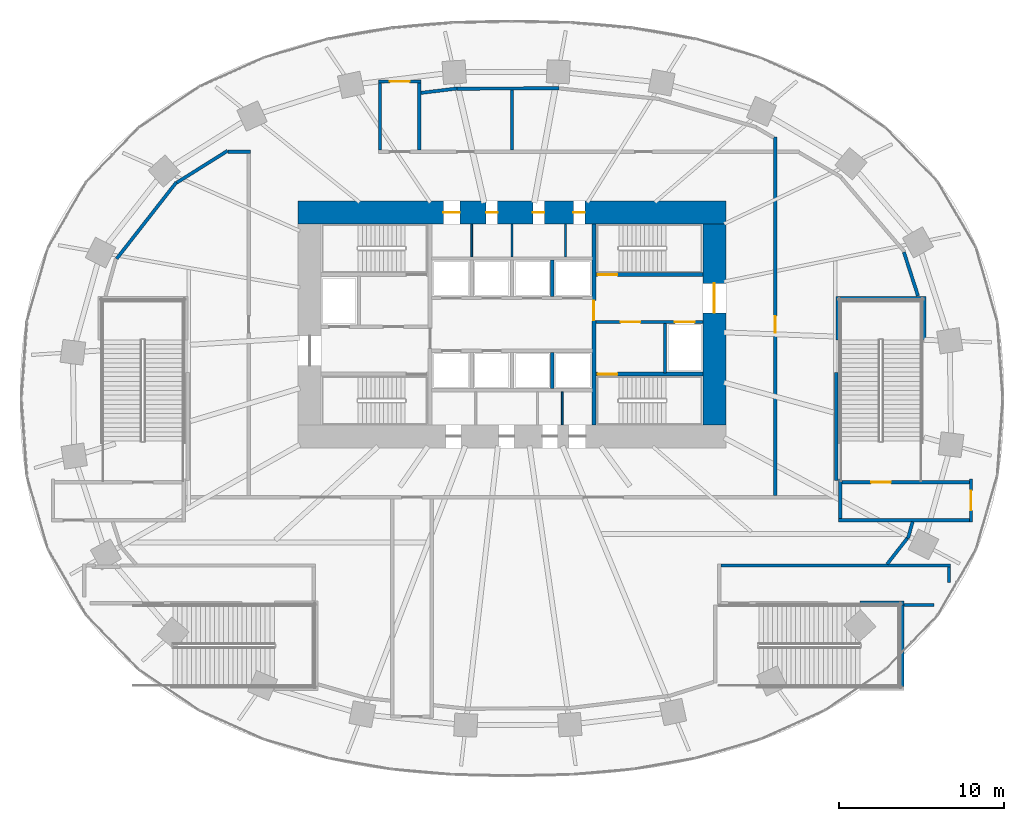
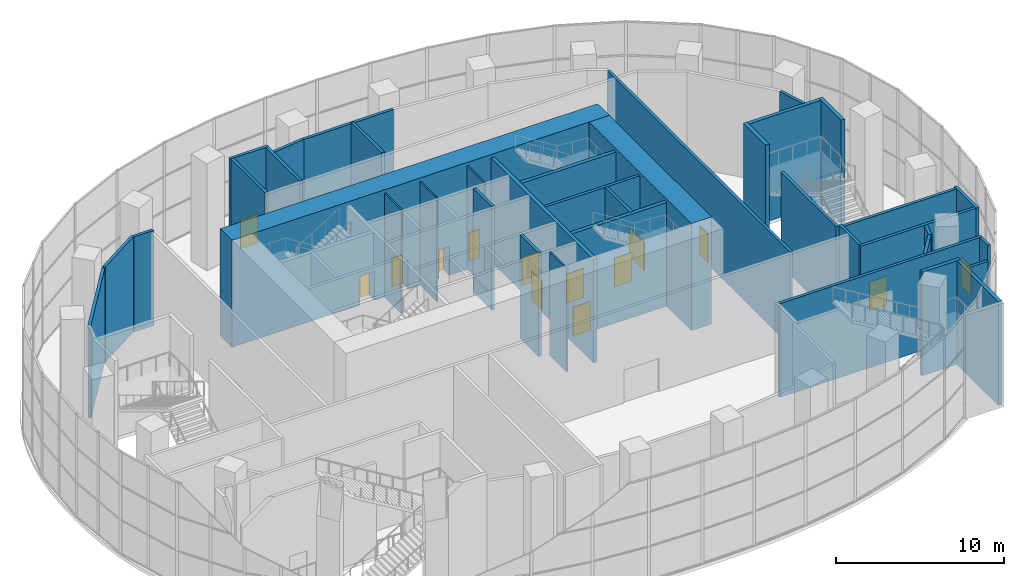
# One storey, part 15 of 22: 39 walls, 14 doors, 14 openings.
"""IFC4 building model written with IfcOpenShell, lengths in metres."""

from ifc_helpers import new_model, si_unit, direction, frame, frame_2d, origin, place, context, subcontext, project, spatial, rectangle, extrude, material, layer, layer_set, type_object, element, fill, save


model = new_model("IFC4")

# Units and contexts
model_context = context("Model", 3, precision=1e-05, world=origin(), true_north=direction((0.0, 1.0)))
body_context = subcontext(model_context, "Body", "Model", "MODEL_VIEW")
ifc_project = project(units=[si_unit("LENGTHUNIT", "METRE"), si_unit("AREAUNIT", "SQUARE_METRE"), si_unit("VOLUMEUNIT", "CUBIC_METRE"), si_unit("PLANEANGLEUNIT", "RADIAN"), si_unit("MASSUNIT", "GRAM", prefix="KILO")], contexts=[model_context])

# Site, building, storey
site_placement = place(None, origin())
site = spatial("IfcSite", under=ifc_project, at=site_placement, CompositionType="ELEMENT")
building_placement = place(site_placement, origin())
building = spatial("IfcBuilding", under=site, at=building_placement, Name="Rubra Terraces Tower", CompositionType="ELEMENT")
storey_placement = place(building_placement, frame((0.0, 0.0, 15.0)))
storey = spatial("IfcBuildingStorey", under=building, at=storey_placement, Name="L02", CompositionType="ELEMENT", Elevation=15.0)

# Wall, openings, doors
ifc_material_1 = material(Name="Concrete C70", Category="concrete")
ifc_layer_1 = layer(ifc_material_1, 1.39990234375)
ifc_layer_set_1 = layer_set([ifc_layer_1], Name="Concrete C70")
wall_type_1 = type_object("IfcWallType", Name="CORE WALL 1400 C70", PredefinedType="SHEAR", material=ifc_layer_set_1)
wall_1_placement = place(storey_placement, frame((-13.0, 11.300048828125, 0.0), z_axis=(0.0, 0.0, 1.0), x_axis=(1.0, 0.0, 0.0)))
wall_1 = element("IfcWall", 1, at=wall_1_placement, inside=storey, type_object=wall_type_1, Name="CORE WALL N L02", PredefinedType="SHEAR", context=body_context, shape_type="SweptSolid", body=[
    extrude(rectangle(XDim=26.0, YDim=1.39990234375, at=frame_2d((13.0, 0.0))), origin(), (0.0, 0.0, 1.0), 7.800048828125),
])
opening_1_placement = place(wall_1_placement, frame((8.824951171875, 0.0, 0.0)))
opening_1 = element("IfcOpeningElement", 2, at=opening_1_placement, cuts=wall_1, Name="Opening L02.C23", PredefinedType="OPENING", context=body_context, shape_type="SweptSolid", body=[
    extrude(rectangle(XDim=1.0, YDim=2.10009765625, at=frame_2d((0.5, 1.050048828125))), frame((0.0, 0.7099609375, 0.0), z_axis=(0.0, -1.0, 0.0), x_axis=(1.0, 0.0, 0.0)), (0.0, 0.0, 1.0), 1.419921875),
])
opening_2_placement = place(wall_1_placement, frame((11.425048828125, 0.0, 0.0)))
opening_2 = element("IfcOpeningElement", 3, at=opening_2_placement, cuts=wall_1, Name="Opening L02.C24", PredefinedType="OPENING", context=body_context, shape_type="SweptSolid", body=[
    extrude(rectangle(XDim=0.699951171875, YDim=2.10009765625, at=frame_2d((0.35009765625, 1.050048828125))), frame((0.0, 0.7099609375, 0.0), z_axis=(0.0, -1.0, 0.0), x_axis=(1.0, 0.0, 0.0)), (0.0, 0.0, 1.0), 1.419921875),
])
opening_3_placement = place(wall_1_placement, frame((14.27490234375, 0.0, 0.0)))
opening_3 = element("IfcOpeningElement", 4, at=opening_3_placement, cuts=wall_1, Name="Opening L02.C25", PredefinedType="OPENING", context=body_context, shape_type="SweptSolid", body=[
    extrude(rectangle(XDim=0.699951171875, YDim=2.10009765625, at=frame_2d((0.35009765625, 1.050048828125))), frame((0.0, 0.7099609375, 0.0), z_axis=(0.0, -1.0, 0.0), x_axis=(1.0, 0.0, 0.0)), (0.0, 0.0, 1.0), 1.419921875),
])
opening_4_placement = place(wall_1_placement, frame((16.72509765625, 0.0, 0.0)))
opening_4 = element("IfcOpeningElement", 5, at=opening_4_placement, cuts=wall_1, Name="Opening L02.C26", PredefinedType="OPENING", context=body_context, shape_type="SweptSolid", body=[
    extrude(rectangle(XDim=0.699951171875, YDim=2.10009765625, at=frame_2d((0.35009765625, 1.050048828125))), frame((0.0, 0.7099609375, 0.0), z_axis=(0.0, -1.0, 0.0), x_axis=(1.0, 0.0, 0.0)), (0.0, 0.0, 1.0), 1.419921875),
])
ifc_material_2 = material(Name="Painted steel", Category="steel")
door_type_1 = type_object("IfcDoorType", Name="Fire door 1000x2100 single", OperationType="NOTDEFINED", PredefinedType="DOOR", material=ifc_material_2)
door_1_placement = place(opening_1_placement, origin())
door_1 = element("IfcDoor", 6, at=door_1_placement, inside=storey, type_object=door_type_1, Name="Security and building control room door", OperationType="SINGLE_SWING_LEFT", OverallHeight=2.10009765625, OverallWidth=1.0, PredefinedType="DOOR", context=body_context, shape_type="SweptSolid", body=[
    extrude(rectangle(XDim=1.0, YDim=2.10009765625, at=frame_2d((0.5, 1.050048828125))), frame((0.0, 0.02490234375, 0.0), z_axis=(0.0, -1.0, 0.0), x_axis=(1.0, 0.0, 0.0)), (0.0, 0.0, 1.0), 0.050048828125),
])
fill(opening_1, door_1)
door_type_2 = type_object("IfcDoorType", Name="Riser access door 700x2100 single", OperationType="NOTDEFINED", PredefinedType="DOOR", material=ifc_material_2)
door_2_placement = place(opening_2_placement, origin())
door_2 = element("IfcDoor", 7, at=door_2_placement, inside=storey, type_object=door_type_2, Name="Electrical riser room door", OperationType="SINGLE_SWING_RIGHT", OverallHeight=2.10009765625, OverallWidth=0.699951171875, PredefinedType="DOOR", context=body_context, shape_type="SweptSolid", body=[
    extrude(rectangle(XDim=0.699951171875, YDim=2.10009765625, at=frame_2d((0.35009765625, 1.050048828125))), frame((0.0, 0.02490234375, 0.0), z_axis=(0.0, -1.0, 0.0), x_axis=(1.0, 0.0, 0.0)), (0.0, 0.0, 1.0), 0.050048828125),
])
fill(opening_2, door_2)
door_3_placement = place(opening_3_placement, origin())
door_3 = element("IfcDoor", 8, at=door_3_placement, inside=storey, type_object=door_type_2, Name="Telecoms room door", OperationType="SINGLE_SWING_LEFT", OverallHeight=2.10009765625, OverallWidth=0.699951171875, PredefinedType="DOOR", context=body_context, shape_type="SweptSolid", body=[
    extrude(rectangle(XDim=0.699951171875, YDim=2.10009765625, at=frame_2d((0.35009765625, 1.050048828125))), frame((0.0, 0.02490234375, 0.0), z_axis=(0.0, -1.0, 0.0), x_axis=(1.0, 0.0, 0.0)), (0.0, 0.0, 1.0), 0.050048828125),
])
fill(opening_3, door_3)
door_4_placement = place(opening_4_placement, origin())
door_4 = element("IfcDoor", 9, at=door_4_placement, inside=storey, type_object=door_type_2, Name="Water and drainage riser door", OperationType="SINGLE_SWING_RIGHT", OverallHeight=2.10009765625, OverallWidth=0.699951171875, PredefinedType="DOOR", context=body_context, shape_type="SweptSolid", body=[
    extrude(rectangle(XDim=0.699951171875, YDim=2.10009765625, at=frame_2d((0.35009765625, 1.050048828125))), frame((0.0, 0.02490234375, 0.0), z_axis=(0.0, -1.0, 0.0), x_axis=(1.0, 0.0, 0.0)), (0.0, 0.0, 1.0), 0.050048828125),
])
fill(opening_4, door_4)

# Wall, opening, door
wall_2_placement = place(storey_placement, frame((12.300048828125, -1.60009765625, 0.0), z_axis=(0.0, 0.0, 1.0), x_axis=(0.0, 1.0, 0.0)))
wall_2 = element("IfcWall", 10, at=wall_2_placement, inside=storey, type_object=wall_type_1, Name="CORE WALL E L02", PredefinedType="SHEAR", context=body_context, shape_type="SweptSolid", body=[
    extrude(rectangle(XDim=12.2001953125, YDim=1.39990234375, at=frame_2d((6.10009765625, 0.0))), origin(), (0.0, 0.0, 1.0), 7.800048828125),
])
opening_5_placement = place(wall_2_placement, frame((6.800048828125, 0.0, 0.0)))
opening_5 = element("IfcOpeningElement", 11, at=opening_5_placement, cuts=wall_2, Name="Opening L02.C02", PredefinedType="OPENING", context=body_context, shape_type="SweptSolid", body=[
    extrude(rectangle(XDim=1.800048828125, YDim=2.10009765625, at=frame_2d((0.89990234375, 1.050048828125))), frame((0.0, 0.7099609375, 0.0), z_axis=(0.0, -1.0, 0.0), x_axis=(1.0, 0.0, 0.0)), (0.0, 0.0, 1.0), 1.419921875),
])
door_type_3 = type_object("IfcDoorType", Name="Fire door 1800x2100 double", OperationType="NOTDEFINED", PredefinedType="DOOR", material=ifc_material_2)
door_5_placement = place(opening_5_placement, origin())
door_5 = element("IfcDoor", 12, at=door_5_placement, inside=storey, type_object=door_type_3, Name="Core entrance door FF2", OperationType="DOUBLE_DOOR_SINGLE_SWING", OverallHeight=2.10009765625, OverallWidth=1.800048828125, PredefinedType="DOOR", context=body_context, shape_type="SweptSolid", body=[
    extrude(rectangle(XDim=1.800048828125, YDim=2.10009765625, at=frame_2d((0.89990234375, 1.050048828125))), frame((0.0, 0.02490234375, 0.0), z_axis=(0.0, -1.0, 0.0), x_axis=(1.0, 0.0, 0.0)), (0.0, 0.0, 1.0), 0.050048828125),
])
fill(opening_5, door_5)

# Wall, openings, doors
ifc_material_3 = material(Name="Concrete C30", Category="concrete")
ifc_layer_2 = layer(ifc_material_3, 0.199951171875)
ifc_layer_set_2 = layer_set([ifc_layer_2], Name="Concrete C30")
wall_type_2 = type_object("IfcWallType", Name="Core wall 200 concrete", PredefinedType="SOLIDWALL", material=ifc_layer_set_2)
wall_3_placement = place(storey_placement, frame((11.60009765625, 4.64990234375, 0.0), z_axis=(0.0, 0.0, 1.0), x_axis=(-1.0, 0.0, 0.0)))
wall_3 = element("IfcWall", 13, at=wall_3_placement, inside=storey, type_object=wall_type_2, Name="STAIR WALL L02", PredefinedType="SOLIDWALL", context=body_context, shape_type="SweptSolid", body=[
    extrude(rectangle(XDim=6.5, YDim=0.199951171875, at=frame_2d((3.25, 0.0))), origin(), (0.0, 0.0, 1.0), 7.550048828125),
])
opening_6_placement = place(wall_3_placement, frame((3.800048828125, 0.0, 0.0)))
opening_6 = element("IfcOpeningElement", 14, at=opening_6_placement, cuts=wall_3, Name="Opening L02.C06", PredefinedType="OPENING", context=body_context, shape_type="SweptSolid", body=[
    extrude(rectangle(XDim=1.199951171875, YDim=2.10009765625, at=frame_2d((0.60009765625, 1.050048828125))), frame((0.0, 0.10986328125, 0.0), z_axis=(0.0, -1.0, 0.0), x_axis=(1.0, 0.0, 0.0)), (0.0, 0.0, 1.0), 0.219970703125),
])
opening_7_placement = place(wall_3_placement, frame((0.5, 0.0, 0.0)))
opening_7 = element("IfcOpeningElement", 15, at=opening_7_placement, cuts=wall_3, Name="Opening L02.C12", PredefinedType="OPENING", context=body_context, shape_type="SweptSolid", body=[
    extrude(rectangle(XDim=1.199951171875, YDim=2.10009765625, at=frame_2d((0.60009765625, 1.050048828125))), frame((0.0, 0.10986328125, 0.0), z_axis=(0.0, -1.0, 0.0), x_axis=(1.0, 0.0, 0.0)), (0.0, 0.0, 1.0), 0.219970703125),
])
door_type_4 = type_object("IfcDoorType", Name="Fire door 1200x2100 single", OperationType="NOTDEFINED", PredefinedType="DOOR", material=ifc_material_2)
door_6_placement = place(opening_6_placement, origin())
door_6 = element("IfcDoor", 16, at=door_6_placement, inside=storey, type_object=door_type_4, Name="Stair vestibule door S4", OperationType="SINGLE_SWING_RIGHT", OverallHeight=2.10009765625, OverallWidth=1.199951171875, PredefinedType="DOOR", context=body_context, shape_type="SweptSolid", body=[
    extrude(rectangle(XDim=1.199951171875, YDim=2.10009765625, at=frame_2d((0.60009765625, 1.050048828125))), frame((0.0, 0.02490234375, 0.0), z_axis=(0.0, -1.0, 0.0), x_axis=(1.0, 0.0, 0.0)), (0.0, 0.0, 1.0), 0.050048828125),
])
fill(opening_6, door_6)
ifc_material_4 = material(Name="Stainless steel", Category="steel")
door_type_5 = type_object("IfcDoorType", Name="Lift landing door 1200x2100", OperationType="NOTDEFINED", PredefinedType="DOOR", material=ifc_material_4)
door_7_placement = place(opening_7_placement, origin())
door_7 = element("IfcDoor", 17, at=door_7_placement, inside=storey, type_object=door_type_5, Name="Landing door FF2", OperationType="SLIDING_TO_RIGHT", OverallHeight=2.10009765625, OverallWidth=1.199951171875, PredefinedType="DOOR", context=body_context, shape_type="SweptSolid", body=[
    extrude(rectangle(XDim=1.199951171875, YDim=2.10009765625, at=frame_2d((0.60009765625, 1.050048828125))), frame((0.0, 0.02490234375, 0.0), z_axis=(0.0, -1.0, 0.0), x_axis=(1.0, 0.0, 0.0)), (0.0, 0.0, 1.0), 0.050048828125),
])
fill(opening_7, door_7)

# Walls
wall_4_placement = place(storey_placement, frame((9.300048828125, 4.550048828125, 0.0), z_axis=(0.0, 0.0, 1.0), x_axis=(0.0, -1.0, 0.0)))
element("IfcWall", 18, at=wall_4_placement, inside=storey, type_object=wall_type_2, Name="STAIR WALL L02", PredefinedType="SOLIDWALL", context=body_context, shape_type="SweptSolid", body=[
    extrude(rectangle(XDim=3.0, YDim=0.199951171875, at=frame_2d((1.5, 0.0))), origin(), (0.0, 0.0, 1.0), 7.550048828125),
])
for number, where, z_axis, x_axis, name in (
    (19, (2.449951171875, 0.60009765625, 0.0), (0.0, 0.0, 1.0), (0.0, 1.0, 0.0), "LIFT SHAFT WALL L02"),
    (20, (2.449951171875, 6.199951171875, 0.0), (0.0, 0.0, 1.0), (0.0, 1.0, 0.0), "LIFT SHAFT WALL L02"),
):
    element("IfcWall", number, at=place(storey_placement, frame(where, z_axis=z_axis, x_axis=x_axis)), inside=storey, type_object=wall_type_2, Name=name, PredefinedType="SOLIDWALL", context=body_context, shape_type="SweptSolid", body=[
        extrude(rectangle(XDim=2.199951171875, YDim=0.199951171875, at=frame_2d((1.10009765625, 0.0))), origin(), (0.0, 0.0, 1.0), 7.550048828125),
    ])

# Wall, opening, door
ifc_material_5 = material(Name="Blockwork", Category="masonry")
ifc_layer_3 = layer(ifc_material_5, 0.199951171875)
ifc_layer_set_3 = layer_set([ifc_layer_3], Name="Blockwork")
wall_type_3 = type_object("IfcWallType", Name="Corridor partition 200 blockwork", PredefinedType="PARTITIONING", material=ifc_layer_set_3)
wall_5_placement = place(storey_placement, frame((27.89990234375, -4.89990234375, 0.0), z_axis=(0.0, 0.0, 1.0), x_axis=(0.0, -1.0, 0.0)))
wall_5 = element("IfcWall", 21, at=wall_5_placement, inside=storey, type_object=wall_type_3, Name="Partition wall", PredefinedType="PARTITIONING", context=body_context, shape_type="SweptSolid", body=[
    extrude(rectangle(XDim=2.60009765625, YDim=0.199951171875, at=frame_2d((1.300048828125, 0.0))), origin(), (0.0, 0.0, 1.0), 6.830078125),
])
opening_8_placement = place(wall_5_placement, frame((0.699951171875, 0.0, 0.0)))
opening_8 = element("IfcOpeningElement", 22, at=opening_8_placement, cuts=wall_5, Name="Opening DB7", PredefinedType="OPENING", context=body_context, shape_type="SweptSolid", body=[
    extrude(rectangle(XDim=1.199951171875, YDim=2.10009765625, at=frame_2d((0.60009765625, 1.050048828125))), frame((0.0, 0.10986328125, 0.0), z_axis=(0.0, -1.0, 0.0), x_axis=(1.0, 0.0, 0.0)), (0.0, 0.0, 1.0), 0.219970703125),
])
ifc_material_6 = material(Name="Painted timber", Category="wood")
door_type_6 = type_object("IfcDoorType", Name="Door 1200x2100 single", OperationType="NOTDEFINED", PredefinedType="DOOR", material=ifc_material_6)
door_8_placement = place(opening_8_placement, origin())
door_8 = element("IfcDoor", 23, at=door_8_placement, inside=storey, type_object=door_type_6, Name="Door L02-08", OperationType="SINGLE_SWING_LEFT", OverallHeight=2.10009765625, OverallWidth=1.199951171875, PredefinedType="DOOR", context=body_context, shape_type="SweptSolid", body=[
    extrude(rectangle(XDim=1.199951171875, YDim=2.10009765625, at=frame_2d((0.60009765625, 1.050048828125))), frame((0.0, 0.02490234375, 0.0), z_axis=(0.0, -1.0, 0.0), x_axis=(1.0, 0.0, 0.0)), (0.0, 0.0, 1.0), 0.050048828125),
])
fill(opening_8, door_8)

# Walls
wall_6_placement = place(storey_placement, frame((27.800048828125, -7.39990234375, 0.0), z_axis=(0.0, 0.0, 1.0), x_axis=(-1.0, 0.0, 0.0)))
element("IfcWall", 24, at=wall_6_placement, inside=storey, type_object=wall_type_3, Name="Partition wall", PredefinedType="PARTITIONING", context=body_context, shape_type="SweptSolid", body=[
    extrude(rectangle(XDim=7.949951171875, YDim=0.199951171875, at=frame_2d((3.97509765625, 0.0))), origin(), (0.0, 0.0, 1.0), 6.830078125),
])
wall_7_placement = place(storey_placement, frame((19.949951171875, -7.300048828125, 0.0), z_axis=(0.0, 0.0, 1.0), x_axis=(0.0, 1.0, 0.0)))
element("IfcWall", 25, at=wall_7_placement, inside=storey, type_object=wall_type_3, Name="Partition wall", PredefinedType="PARTITIONING", context=body_context, shape_type="SweptSolid", body=[
    extrude(rectangle(XDim=2.400146484375, YDim=0.199951171875, at=frame_2d((1.2001953125, 0.0))), origin(), (0.0, 0.0, 1.0), 6.830078125),
])

# Wall, opening, door
wall_8_placement = place(storey_placement, frame((20.050048828125, -5.10009765625, 0.0), z_axis=(0.0, 0.0, 1.0), x_axis=(1.0, 0.0, 0.0)))
wall_8 = element("IfcWall", 26, at=wall_8_placement, inside=storey, type_object=wall_type_3, Name="Partition wall", PredefinedType="PARTITIONING", context=body_context, shape_type="SweptSolid", body=[
    extrude(rectangle(XDim=7.75, YDim=0.199951171875, at=frame_2d((3.875, 0.0))), origin(), (0.0, 0.0, 1.0), 6.830078125),
])
opening_9_placement = place(wall_8_placement, frame((1.77490234375, 0.0, 0.0)))
opening_9 = element("IfcOpeningElement", 27, at=opening_9_placement, cuts=wall_8, Name="Opening DB7", PredefinedType="OPENING", context=body_context, shape_type="SweptSolid", body=[
    extrude(rectangle(XDim=1.199951171875, YDim=2.10009765625, at=frame_2d((0.60009765625, 1.050048828125))), frame((0.0, 0.10986328125, 0.0), z_axis=(0.0, -1.0, 0.0), x_axis=(1.0, 0.0, 0.0)), (0.0, 0.0, 1.0), 0.219970703125),
])
door_9_placement = place(opening_9_placement, origin())
door_9 = element("IfcDoor", 28, at=door_9_placement, inside=storey, type_object=door_type_6, Name="Stair door L02-07", OperationType="SINGLE_SWING_LEFT", OverallHeight=2.10009765625, OverallWidth=1.199951171875, PredefinedType="DOOR", context=body_context, shape_type="SweptSolid", body=[
    extrude(rectangle(XDim=1.199951171875, YDim=2.10009765625, at=frame_2d((0.60009765625, 1.050048828125))), frame((0.0, 0.02490234375, 0.0), z_axis=(0.0, -1.0, 0.0), x_axis=(1.0, 0.0, 0.0)), (0.0, 0.0, 1.0), 0.050048828125),
])
fill(opening_9, door_9)

# Walls
wall_9_placement = place(storey_placement, frame((25.659912109375, -12.550048828125, 0.0), z_axis=(0.0, 0.0, 1.0), x_axis=(-1.0, 0.0, 0.0)))
element("IfcWall", 29, at=wall_9_placement, inside=storey, type_object=wall_type_3, Name="Partition wall", PredefinedType="PARTITIONING", context=body_context, shape_type="SweptSolid", body=[
    extrude(rectangle(XDim=1.829833984375, YDim=0.199951171875, at=frame_2d((0.9150390625, 0.0))), origin(), (0.0, 0.0, 1.0), 6.830078125),
])
wall_10_placement = place(storey_placement, frame((12.699951171875, -10.14990234375, 0.0), z_axis=(0.0, 0.0, 1.0), x_axis=(1.0, 0.0, 0.0)))
element("IfcWall", 30, at=wall_10_placement, inside=storey, type_object=wall_type_3, Name="Partition wall", PredefinedType="PARTITIONING", context=body_context, shape_type="SweptSolid", body=[
    extrude(rectangle(XDim=13.9599609375, YDim=0.199951171875, at=frame_2d((6.97998046875, 0.0))), origin(), (0.0, 0.0, 1.0), 6.830078125),
])
wall_11_placement = place(storey_placement, frame((26.56005859375, -10.25, 0.0), z_axis=(0.0, 0.0, 1.0), x_axis=(0.0, -1.0, 0.0)))
element("IfcWall", 31, at=wall_11_placement, inside=storey, type_object=wall_type_3, Name="Partition wall", PredefinedType="PARTITIONING", context=body_context, shape_type="SweptSolid", body=[
    extrude(rectangle(XDim=0.93896484375, YDim=0.199951171875, at=frame_2d((0.469482421875, 0.0))), origin(), (0.0, 0.0, 1.0), 6.830078125),
])

# Wall, opening, door
wall_12_placement = place(storey_placement, frame((-8.1279296875, 19.258056640625, 0.0), z_axis=(0.0, 0.0, 1.0), x_axis=(1.0, 0.0, 0.0)))
wall_12 = element("IfcWall", 32, at=wall_12_placement, inside=storey, type_object=wall_type_3, Name="Partition wall", PredefinedType="PARTITIONING", context=body_context, shape_type="SweptSolid", body=[
    extrude(rectangle(XDim=2.599853515625, YDim=0.199951171875, at=frame_2d((1.2998046875, 0.0))), origin(), (0.0, 0.0, 1.0), 6.830078125),
])
opening_10_placement = place(wall_12_placement, frame((0.699951171875, 0.0, 0.0)))
opening_10 = element("IfcOpeningElement", 33, at=opening_10_placement, cuts=wall_12, Name="Opening DB7", PredefinedType="OPENING", context=body_context, shape_type="SweptSolid", body=[
    extrude(rectangle(XDim=1.199951171875, YDim=2.10009765625, at=frame_2d((0.60009765625, 1.050048828125))), frame((0.0, 0.10986328125, 0.0), z_axis=(0.0, -1.0, 0.0), x_axis=(1.0, 0.0, 0.0)), (0.0, 0.0, 1.0), 0.219970703125),
])
door_10_placement = place(opening_10_placement, origin())
door_10 = element("IfcDoor", 34, at=door_10_placement, inside=storey, type_object=door_type_6, Name="Door L02-02", OperationType="SINGLE_SWING_LEFT", OverallHeight=2.10009765625, OverallWidth=1.199951171875, PredefinedType="DOOR", context=body_context, shape_type="SweptSolid", body=[
    extrude(rectangle(XDim=1.199951171875, YDim=2.10009765625, at=frame_2d((0.60009765625, 1.050048828125))), frame((0.0, 0.02490234375, 0.0), z_axis=(0.0, -1.0, 0.0), x_axis=(1.0, 0.0, 0.0)), (0.0, 0.0, 1.0), 0.050048828125),
])
fill(opening_10, door_10)

# Walls
for number, where, z_axis, x_axis, name in (
    (35, (-5.6279296875, 19.157958984375, 0.0), (0.0, 0.0, 1.0), (0.0, -1.0, 0.0), "Partition wall"),
    (36, (-8.028076171875, 15.10009765625, 0.0), (0.0, 0.0, 1.0), (0.0, 1.0, 0.0), "Partition wall"),
):
    element("IfcWall", number, at=place(storey_placement, frame(where, z_axis=z_axis, x_axis=x_axis)), inside=storey, type_object=wall_type_3, Name=name, PredefinedType="PARTITIONING", context=body_context, shape_type="SweptSolid", body=[
        extrude(rectangle(XDim=4.057861328125, YDim=0.199951171875, at=frame_2d((2.02880859375, 0.0))), origin(), (0.0, 0.0, 1.0), 6.830078125),
    ])
wall_13_placement = place(storey_placement, frame((-24.031005859375, 8.486083984375, 0.0), z_axis=(0.0, 0.0, 1.0), x_axis=(0.615689744566, 0.787988666439, 0.0)))
element("IfcWall", 37, at=wall_13_placement, inside=storey, type_object=wall_type_3, Name="Partition wall", PredefinedType="PARTITIONING", context=body_context, shape_type="SweptSolid", body=[
    extrude(rectangle(XDim=5.90869140625, YDim=0.199951171875, at=frame_2d((2.954345703125, 0.0))), origin(), (0.0, 0.0, 1.0), 6.830078125),
])
wall_14_placement = place(storey_placement, frame((23.81689453125, 8.89111328125, 0.0), z_axis=(0.0, 0.0, 1.0), x_axis=(0.306913488124, -0.951737416942, 0.0)))
element("IfcWall", 38, at=wall_14_placement, inside=storey, type_object=wall_type_3, Name="Partition wall", PredefinedType="PARTITIONING", context=body_context, shape_type="SweptSolid", body=[
    extrude(rectangle(XDim=2.796142578125, YDim=0.199951171875, at=frame_2d((1.39794921875, 0.0))), origin(), (0.0, 0.0, 1.0), 6.830078125),
])
wall_15_placement = place(storey_placement, frame((19.699951171875, 1.580078125, 0.0), z_axis=(0.0, 0.0, 1.0), x_axis=(0.0, -1.0, 0.0)))
element("IfcWall", 39, at=wall_15_placement, inside=storey, type_object=wall_type_3, Name="Partition wall", PredefinedType="PARTITIONING", context=body_context, shape_type="SweptSolid", body=[
    extrude(rectangle(XDim=6.580078125, YDim=0.199951171875, at=frame_2d((3.2900390625, 0.0))), origin(), (0.0, 0.0, 1.0), 6.830078125),
])

# Wall, opening, door
wall_16_placement = place(storey_placement, frame((16.0, -5.89990234375, 0.0), z_axis=(0.0, 0.0, 1.0), x_axis=(0.0, 1.0, 0.0)))
wall_16 = element("IfcWall", 40, at=wall_16_placement, inside=storey, type_object=wall_type_3, Name="Partition wall", PredefinedType="PARTITIONING", context=body_context, shape_type="SweptSolid", body=[
    extrude(rectangle(XDim=21.7919921875, YDim=0.199951171875, at=frame_2d((10.89599609375, 0.0))), origin(), (0.0, 0.0, 1.0), 6.830078125),
])
opening_11_placement = place(wall_16_placement, frame((9.89990234375, 0.0, 0.0)))
opening_11 = element("IfcOpeningElement", 41, at=opening_11_placement, cuts=wall_16, Name="Opening DB1", PredefinedType="OPENING", context=body_context, shape_type="SweptSolid", body=[
    extrude(rectangle(XDim=1.0, YDim=2.10009765625, at=frame_2d((0.5, 1.050048828125))), frame((0.0, 0.10986328125, 0.0), z_axis=(0.0, -1.0, 0.0), x_axis=(1.0, 0.0, 0.0)), (0.0, 0.0, 1.0), 0.219970703125),
])
door_type_7 = type_object("IfcDoorType", Name="Door 1000x2100 single", OperationType="NOTDEFINED", PredefinedType="DOOR", material=ifc_material_6)
door_11_placement = place(opening_11_placement, origin())
door_11 = element("IfcDoor", 42, at=door_11_placement, inside=storey, type_object=door_type_7, Name="Door L02-12", OperationType="SINGLE_SWING_LEFT", OverallHeight=2.10009765625, OverallWidth=1.0, PredefinedType="DOOR", context=body_context, shape_type="SweptSolid", body=[
    extrude(rectangle(XDim=1.0, YDim=2.10009765625, at=frame_2d((0.5, 1.050048828125))), frame((0.0, 0.02490234375, 0.0), z_axis=(0.0, -1.0, 0.0), x_axis=(1.0, 0.0, 0.0)), (0.0, 0.0, 1.0), 0.050048828125),
])
fill(opening_11, door_11)

# Walls
wall_17_placement = place(storey_placement, frame((-5.529052734375, 18.570068359375, 0.0), z_axis=(0.0, 0.0, 1.0), x_axis=(0.992659217013, 0.120944941522, 0.0)))
element("IfcWall", 43, at=wall_17_placement, inside=storey, type_object=wall_type_3, Name="Partition wall", PredefinedType="PARTITIONING", context=body_context, shape_type="SweptSolid", body=[
    extrude(rectangle(XDim=2.1982421875, YDim=0.199951171875, at=frame_2d((1.09912109375, 0.0))), origin(), (0.0, 0.0, 1.0), 6.830078125),
])
wall_18_placement = place(storey_placement, frame((-3.345947265625, 18.823974609375, 0.0), z_axis=(0.0, 0.0, 1.0), x_axis=(0.999988297333, 0.004837891778, 0.0)))
element("IfcWall", 44, at=wall_18_placement, inside=storey, type_object=wall_type_3, Name="Partition wall", PredefinedType="PARTITIONING", context=body_context, shape_type="SweptSolid", body=[
    extrude(rectangle(XDim=6.20703125, YDim=0.199951171875, at=frame_2d((3.103515625, 0.0))), origin(), (0.0, 0.0, 1.0), 6.830078125),
])
wall_19_placement = place(storey_placement, frame((24.344970703125, -7.49609375, 0.0), z_axis=(0.0, 0.0, 1.0), x_axis=(-0.267089429493, -0.963671747357, 0.0)))
element("IfcWall", 45, at=wall_19_placement, inside=storey, type_object=wall_type_3, Name="Partition wall", PredefinedType="PARTITIONING", context=body_context, shape_type="SweptSolid", body=[
    extrude(rectangle(XDim=1.044677734375, YDim=0.199951171875, at=frame_2d((0.5224609375, 0.0))), origin(), (0.0, 0.0, 1.0), 6.830078125),
])
wall_20_placement = place(storey_placement, frame((24.031005859375, -8.486083984375, 0.0), z_axis=(0.0, 0.0, 1.0), x_axis=(-0.615578080386, -0.788075901768, 0.0)))
element("IfcWall", 46, at=wall_20_placement, inside=storey, type_object=wall_type_3, Name="Partition wall", PredefinedType="PARTITIONING", context=body_context, shape_type="SweptSolid", body=[
    extrude(rectangle(XDim=2.01123046875, YDim=0.199951171875, at=frame_2d((1.005615234375, 0.0))), origin(), (0.0, 0.0, 1.0), 6.830078125),
])
ifc_layer_4 = layer(ifc_material_5, 0.199951171875)
ifc_layer_set_4 = layer_set([ifc_layer_4], Name="Blockwork")
wall_type_4 = type_object("IfcWallType", Name="Room partition 200 blockwork", PredefinedType="PARTITIONING", material=ifc_layer_set_4)
wall_21_placement = place(storey_placement, frame((-20.3701171875, 13.115966796875, 0.0), z_axis=(0.0, 0.0, 1.0), x_axis=(0.847067442561, 0.531485416313, 0.0)))
element("IfcWall", 47, at=wall_21_placement, inside=storey, type_object=wall_type_4, Name="Partition wall", PredefinedType="PARTITIONING", context=body_context, shape_type="SweptSolid", body=[
    extrude(rectangle(XDim=3.64453125, YDim=0.199951171875, at=frame_2d((1.822265625, 0.0))), origin(), (0.0, 0.0, 1.0), 6.93408203125),
])
wall_22_placement = place(storey_placement, frame((-17.26806640625, 15.0, 0.0), z_axis=(0.0, 0.0, 1.0), x_axis=(1.0, 0.0, 0.0)))
element("IfcWall", 48, at=wall_22_placement, inside=storey, type_object=wall_type_4, Name="Partition wall", PredefinedType="PARTITIONING", context=body_context, shape_type="SweptSolid", body=[
    extrude(rectangle(XDim=1.3681640625, YDim=0.199951171875, at=frame_2d((0.68408203125, 0.0))), origin(), (0.0, 0.0, 1.0), 6.93408203125),
])
wall_23_placement = place(storey_placement, frame((0.0, 18.740966796875, 0.0), z_axis=(0.0, 0.0, 1.0), x_axis=(0.0, -1.0, 0.0)))
element("IfcWall", 49, at=wall_23_placement, inside=storey, type_object=wall_type_4, Name="Partition wall", PredefinedType="PARTITIONING", context=body_context, shape_type="SweptSolid", body=[
    extrude(rectangle(XDim=3.640869140625, YDim=0.199951171875, at=frame_2d((1.8203125, 0.0))), origin(), (0.0, 0.0, 1.0), 6.93408203125),
])
ifc_layer_5 = layer(ifc_material_5, 0.10009765625)
ifc_layer_set_5 = layer_set([ifc_layer_5], Name="Blockwork")
wall_type_5 = type_object("IfcWallType", Name="Service partition 100 blockwork", PredefinedType="PARTITIONING", material=ifc_layer_set_5)
for number, where, z_axis, x_axis, name in (
    (50, (3.050048828125, -1.60009765625, 0.0), (0.0, 0.0, 1.0), (0.0, 1.0, 0.0), "SERVICE ROOM PARTITION L02"),
    (51, (-2.449951171875, 8.60009765625, 0.0), (0.0, 0.0, 1.0), (0.0, 1.0, 0.0), "SERVICE ROOM PARTITION L02"),
    (52, (0.0, 8.60009765625, 0.0), (0.0, 0.0, 1.0), (0.0, 1.0, 0.0), "SERVICE ROOM PARTITION L02"),
    (53, (3.25, 8.60009765625, 0.0), (0.0, 0.0, 1.0), (0.0, 1.0, 0.0), "SERVICE ROOM PARTITION L02"),
):
    element("IfcWall", number, at=place(storey_placement, frame(where, z_axis=z_axis, x_axis=x_axis)), inside=storey, type_object=wall_type_5, Name=name, PredefinedType="PARTITIONING", context=body_context, shape_type="SweptSolid", body=[
        extrude(rectangle(XDim=2.0, YDim=0.10009765625, at=frame_2d((1.0, 0.0))), origin(), (0.0, 0.0, 1.0), 7.550048828125),
    ])

# Wall, opening, door
ifc_material_7 = material(Name="Concrete C40", Category="concrete")
ifc_layer_6 = layer(ifc_material_7, 0.25)
ifc_layer_set_6 = layer_set([ifc_layer_6], Name="Concrete C40")
wall_type_6 = type_object("IfcWallType", Name="Stair enclosure wall 250 concrete", PredefinedType="SOLIDWALL", material=ifc_layer_set_6)
wall_24_placement = place(storey_placement, frame((11.60009765625, 7.52490234375, 0.0), z_axis=(0.0, 0.0, 1.0), x_axis=(-1.0, 0.0, 0.0)))
wall_24 = element("IfcWall", 54, at=wall_24_placement, inside=storey, type_object=wall_type_6, Name="STAIR WALL L02", PredefinedType="SOLIDWALL", context=body_context, shape_type="SweptSolid", body=[
    extrude(rectangle(XDim=6.5, YDim=0.25, at=frame_2d((3.25, 0.0))), origin(), (0.0, 0.0, 1.0), 7.550048828125),
])
opening_12_placement = place(wall_24_placement, frame((5.199951171875, 0.0, 0.0)))
opening_12 = element("IfcOpeningElement", 55, at=opening_12_placement, cuts=wall_24, Name="Opening L02.C08", PredefinedType="OPENING", context=body_context, shape_type="SweptSolid", body=[
    extrude(rectangle(XDim=1.199951171875, YDim=2.10009765625, at=frame_2d((0.60009765625, 1.050048828125))), frame((0.0, 0.135009765625, 0.0), z_axis=(0.0, -1.0, 0.0), x_axis=(1.0, 0.0, 0.0)), (0.0, 0.0, 1.0), 0.27001953125),
])
door_12_placement = place(opening_12_placement, origin())
door_12 = element("IfcDoor", 56, at=door_12_placement, inside=storey, type_object=door_type_4, Name="Stair door S3", OperationType="SINGLE_SWING_RIGHT", OverallHeight=2.10009765625, OverallWidth=1.199951171875, PredefinedType="DOOR", context=body_context, shape_type="SweptSolid", body=[
    extrude(rectangle(XDim=1.199951171875, YDim=2.10009765625, at=frame_2d((0.60009765625, 1.050048828125))), frame((0.0, 0.02490234375, 0.0), z_axis=(0.0, -1.0, 0.0), x_axis=(1.0, 0.0, 0.0)), (0.0, 0.0, 1.0), 0.050048828125),
])
fill(opening_12, door_12)

wall_25_placement = place(storey_placement, frame((11.60009765625, 1.47509765625, 0.0), z_axis=(0.0, 0.0, 1.0), x_axis=(-1.0, 0.0, 0.0)))
wall_25 = element("IfcWall", 57, at=wall_25_placement, inside=storey, type_object=wall_type_6, Name="STAIR WALL L02", PredefinedType="SOLIDWALL", context=body_context, shape_type="SweptSolid", body=[
    extrude(rectangle(XDim=6.5, YDim=0.25, at=frame_2d((3.25, 0.0))), origin(), (0.0, 0.0, 1.0), 7.550048828125),
])
opening_13_placement = place(wall_25_placement, frame((5.199951171875, 0.0, 0.0)))
opening_13 = element("IfcOpeningElement", 58, at=opening_13_placement, cuts=wall_25, Name="Opening L02.C10", PredefinedType="OPENING", context=body_context, shape_type="SweptSolid", body=[
    extrude(rectangle(XDim=1.199951171875, YDim=2.10009765625, at=frame_2d((0.60009765625, 1.050048828125))), frame((0.0, 0.135009765625, 0.0), z_axis=(0.0, -1.0, 0.0), x_axis=(1.0, 0.0, 0.0)), (0.0, 0.0, 1.0), 0.27001953125),
])
door_13_placement = place(opening_13_placement, origin())
door_13 = element("IfcDoor", 59, at=door_13_placement, inside=storey, type_object=door_type_4, Name="Stair door S4", OperationType="SINGLE_SWING_RIGHT", OverallHeight=2.10009765625, OverallWidth=1.199951171875, PredefinedType="DOOR", context=body_context, shape_type="SweptSolid", body=[
    extrude(rectangle(XDim=1.199951171875, YDim=2.10009765625, at=frame_2d((0.60009765625, 1.050048828125))), frame((0.0, 0.02490234375, 0.0), z_axis=(0.0, -1.0, 0.0), x_axis=(1.0, 0.0, 0.0)), (0.0, 0.0, 1.0), 0.050048828125),
])
fill(opening_13, door_13)

wall_26_placement = place(storey_placement, frame((4.97509765625, 10.60009765625, 0.0), z_axis=(0.0, 0.0, 1.0), x_axis=(0.0, -1.0, 0.0)))
wall_26 = element("IfcWall", 60, at=wall_26_placement, inside=storey, type_object=wall_type_6, Name="CORE LOBBY WALL L02", PredefinedType="SOLIDWALL", context=body_context, shape_type="SweptSolid", body=[
    extrude(rectangle(XDim=12.2001953125, YDim=0.25, at=frame_2d((6.10009765625, 0.0))), origin(), (0.0, 0.0, 1.0), 7.550048828125),
])
opening_14_placement = place(wall_26_placement, frame((4.64990234375, 0.0, 0.0)))
opening_14 = element("IfcOpeningElement", 61, at=opening_14_placement, cuts=wall_26, Name="Opening L02.C04", PredefinedType="OPENING", context=body_context, shape_type="SweptSolid", body=[
    extrude(rectangle(XDim=1.199951171875, YDim=2.10009765625, at=frame_2d((0.60009765625, 1.050048828125))), frame((0.0, 0.135009765625, 0.0), z_axis=(0.0, -1.0, 0.0), x_axis=(1.0, 0.0, 0.0)), (0.0, 0.0, 1.0), 0.27001953125),
])
door_14_placement = place(opening_14_placement, origin())
door_14 = element("IfcDoor", 62, at=door_14_placement, inside=storey, type_object=door_type_4, Name="Firefighting lobby door FF2", OperationType="SINGLE_SWING_RIGHT", OverallHeight=2.10009765625, OverallWidth=1.199951171875, PredefinedType="DOOR", context=body_context, shape_type="SweptSolid", body=[
    extrude(rectangle(XDim=1.199951171875, YDim=2.10009765625, at=frame_2d((0.60009765625, 1.050048828125))), frame((0.0, 0.02490234375, 0.0), z_axis=(0.0, -1.0, 0.0), x_axis=(1.0, 0.0, 0.0)), (0.0, 0.0, 1.0), 0.050048828125),
])
fill(opening_14, door_14)

# Walls
ifc_material_8 = material(Name="Concrete C40/50", Category="concrete")
ifc_layer_7 = layer(ifc_material_8, 0.25)
ifc_layer_set_7 = layer_set([ifc_layer_7], Name="Concrete C40/50")
wall_type_7 = type_object("IfcWallType", Name="Stair end wall 250 concrete", PredefinedType="SOLIDWALL", material=ifc_layer_set_7)
wall_27_placement = place(storey_placement, frame((24.89990234375, 6.0849609375, 0.0), z_axis=(0.0, 0.0, 1.0), x_axis=(-1.0, 0.0, 0.0)))
element("IfcWall", 63, at=wall_27_placement, inside=storey, type_object=wall_type_7, Name="Stair end wall", PredefinedType="SOLIDWALL", context=body_context, shape_type="SweptSolid", body=[
    extrude(rectangle(XDim=4.949951171875, YDim=0.25, at=frame_2d((2.47509765625, 0.0))), origin(), (0.0, 0.0, 1.0), 7.550048828125),
])
for number, where, z_axis, x_axis, name in (
    (64, (19.824951171875, 3.56005859375, 0.0), (0.0, 0.0, 1.0), (0.0, 1.0, 0.0), "Stair end wall"),
    (65, (25.02490234375, 3.56005859375, 0.0), (0.0, 0.0, 1.0), (0.0, 1.0, 0.0), "Stair end wall"),
):
    element("IfcWall", number, at=place(storey_placement, frame(where, z_axis=z_axis, x_axis=x_axis)), inside=storey, type_object=wall_type_7, Name=name, PredefinedType="SOLIDWALL", context=body_context, shape_type="SweptSolid", body=[
        extrude(rectangle(XDim=2.64990234375, YDim=0.25, at=frame_2d((1.324951171875, 0.0))), origin(), (0.0, 0.0, 1.0), 7.550048828125),
    ])
wall_28_placement = place(storey_placement, frame((23.68505859375, -17.5, 0.0), z_axis=(0.0, 0.0, 1.0), x_axis=(0.0, 1.0, 0.0)))
element("IfcWall", 66, at=wall_28_placement, inside=storey, type_object=wall_type_7, Name="Stair end wall", PredefinedType="SOLIDWALL", context=body_context, shape_type="SweptSolid", body=[
    extrude(rectangle(XDim=4.949951171875, YDim=0.25, at=frame_2d((2.47509765625, 0.0))), origin(), (0.0, 0.0, 1.0), 7.550048828125),
])
wall_29_placement = place(storey_placement, frame((21.159912109375, -12.425048828125, 0.0), z_axis=(0.0, 0.0, 1.0), x_axis=(1.0, 0.0, 0.0)))
element("IfcWall", 67, at=wall_29_placement, inside=storey, type_object=wall_type_7, Name="Stair end wall", PredefinedType="SOLIDWALL", context=body_context, shape_type="SweptSolid", body=[
    extrude(rectangle(XDim=2.650146484375, YDim=0.25, at=frame_2d((1.3251953125, 0.0))), origin(), (0.0, 0.0, 1.0), 7.550048828125),
])

save(model, "model.ifc")
